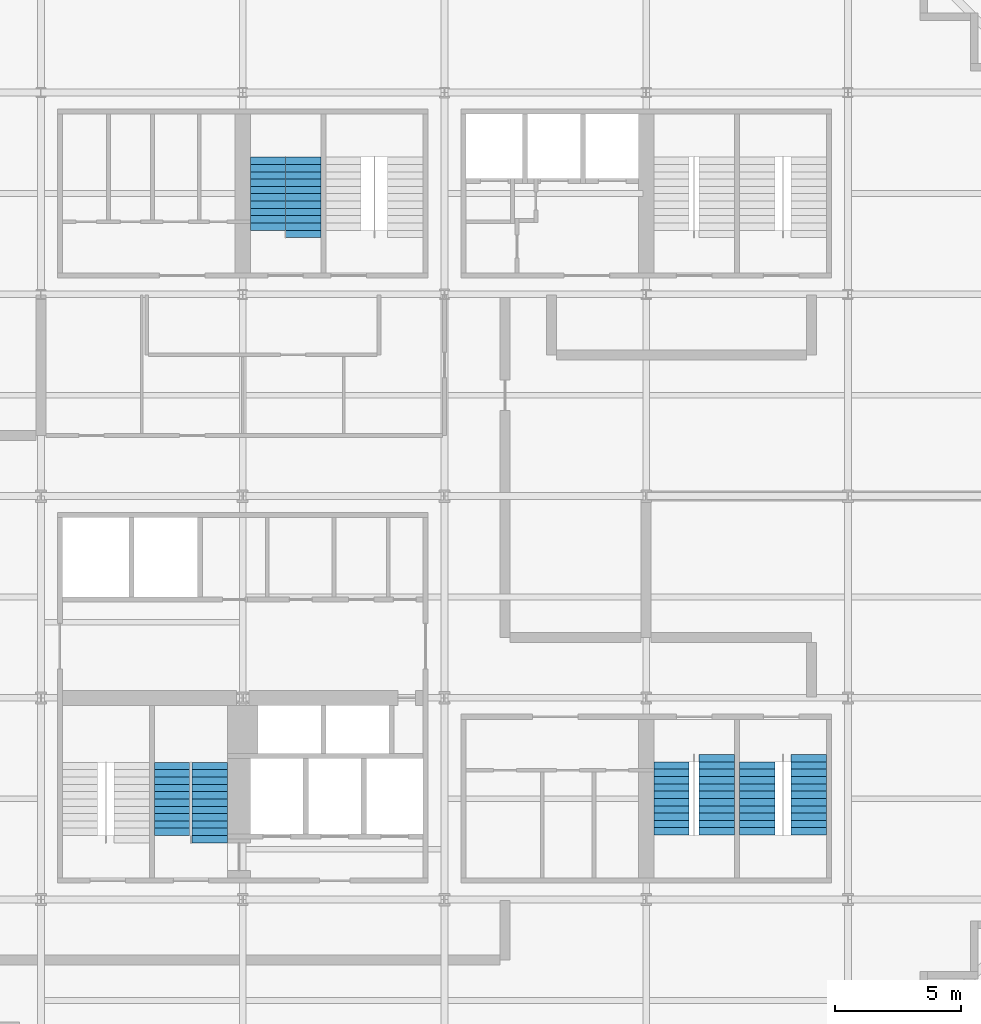
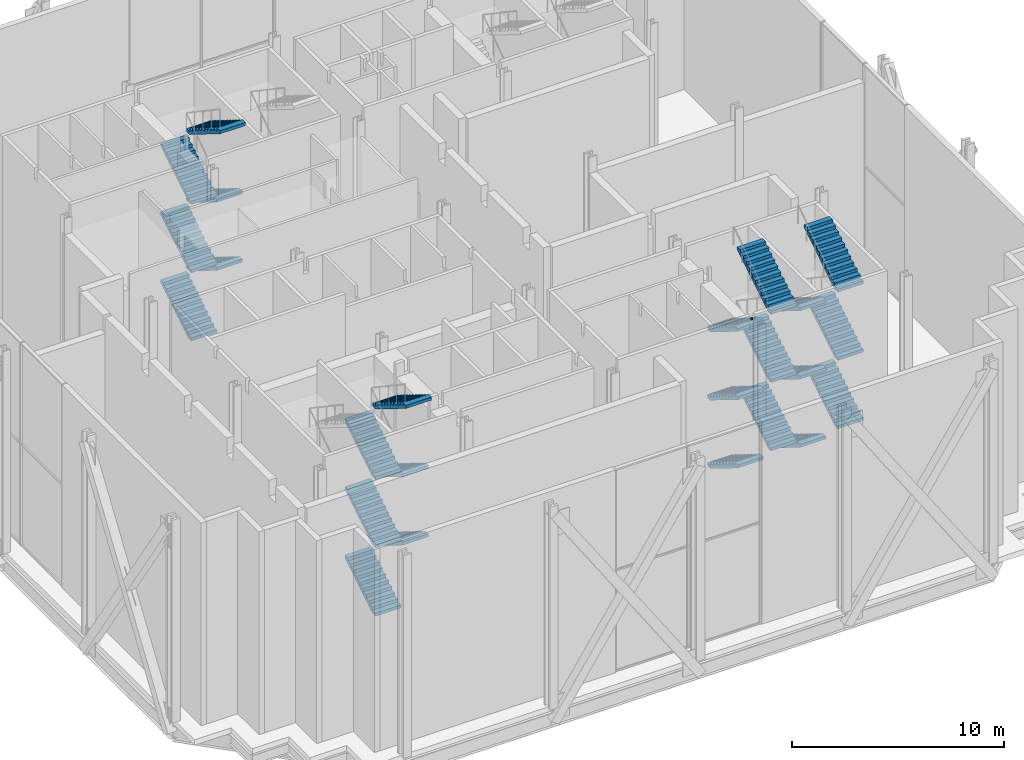
# One storey, part 11 of 14: 24 stair flights, 4 elements without a shape of their own.
"""IFC4 building model written with IfcOpenShell, lengths in metres."""

from ifc_helpers import new_model, si_unit, direction, frame, origin, place, context, subcontext, project, spatial, polyline, outline, extrude, material, type_object, element, aggregate, save


model = new_model("IFC4")

# Units and contexts
model_context = context("Model", 3, precision=1e-05, world=origin(), true_north=direction((0.0, 1.0)))
body_context = subcontext(model_context, "Body", "Model", "MODEL_VIEW")
ifc_project = project(units=[si_unit("LENGTHUNIT", "METRE"), si_unit("AREAUNIT", "SQUARE_METRE"), si_unit("VOLUMEUNIT", "CUBIC_METRE"), si_unit("PLANEANGLEUNIT", "RADIAN"), si_unit("MASSUNIT", "GRAM", prefix="KILO")], contexts=[model_context])

# Site, building, storey
site_placement = place(None, origin())
site = spatial("IfcSite", under=ifc_project, at=site_placement, CompositionType="ELEMENT")
building_placement = place(site_placement, origin())
building = spatial("IfcBuilding", under=site, at=building_placement, Name="Immortelle Media Tower", CompositionType="ELEMENT")
storey_placement = place(building_placement, frame((0.0, 0.0, 9.0)))
storey = spatial("IfcBuildingStorey", under=building, at=storey_placement, Name="L01", CompositionType="ELEMENT", Elevation=9.0)

# Stair, stair flights
ifc_material = material(Name="Steel ASTM A992 Gr 50", Category="steel")
stair_type = type_object("IfcStairType", Name="Stair with flights", PredefinedType="DOUBLE_RETURN_STAIR", material=ifc_material)
stair_1_placement = place(storey_placement, origin())
stair_1 = element("IfcStair", 1, at=stair_1_placement, inside=storey, type_object=stair_type, Name="Exit stair SW2", PredefinedType="DOUBLE_RETURN_STAIR")
stair_flight_type = type_object("IfcStairFlightType", Name="Stair flight 1400", PredefinedType="STRAIGHT", material=ifc_material)
stair_flight_1_placement = place(storey_placement, frame((13.199951171875, 10.5400390625, 0.0), z_axis=(0.0, 0.0, 1.0), x_axis=(0.0, 1.0, 0.0)))
stair_flight_1 = element("IfcStairFlight", 2, at=stair_flight_1_placement, type_object=stair_flight_type, Name="ST SW2 flight 1", NumberOfRisers=11, NumberOfTreads=10, PredefinedType="STRAIGHT", RiserHeight=0.179104478, TreadLength=0.29, context=body_context, shape_type="SweptSolid", body=[
    extrude(outline(polyline([(0.0, 0.0), (0.0, 0.17919921875), (0.2900390625, 0.17919921875), (0.2900390625, 0.358154296875), (0.580078125, 0.358154296875), (0.580078125, 0.537353515625), (0.8701171875, 0.537353515625), (0.8701171875, 0.71630859375), (1.159912109375, 0.71630859375), (1.159912109375, 0.8955078125), (1.449951171875, 0.8955078125), (1.449951171875, 1.07470703125), (1.739990234375, 1.07470703125), (1.739990234375, 1.253662109375), (2.030029296875, 1.253662109375), (2.030029296875, 1.432861328125), (2.320068359375, 1.432861328125), (2.320068359375, 1.612060546875), (2.610107421875, 1.612060546875), (2.610107421875, 1.791015625), (2.89990234375, 1.791015625), (2.89990234375, 1.97021484375), (2.89990234375, 1.61474609375), (0.28515625, 0.0), (0.0, 0.0)])), frame((0.0, 0.699951171875, 0.0), z_axis=(0.0, -1.0, 0.0), x_axis=(1.0, 0.0, 0.0)), (0.0, 0.0, 1.0), 1.39990234375),
])
stair_flight_2_placement = place(storey_placement, frame((14.699951171875, 13.43994140625, 1.97021484375), z_axis=(0.0, 0.0, 1.0), x_axis=(0.0, -1.0, 0.0)))
stair_flight_2 = element("IfcStairFlight", 3, at=stair_flight_2_placement, type_object=stair_flight_type, Name="ST SW2 flight 2", NumberOfRisers=11, NumberOfTreads=10, PredefinedType="STRAIGHT", RiserHeight=0.179104478, TreadLength=0.29, context=body_context, shape_type="SweptSolid", body=[
    extrude(outline(polyline([(0.0, 0.0), (0.0, 0.17919921875), (0.2900390625, 0.17919921875), (0.2900390625, 0.358154296875), (0.580078125, 0.358154296875), (0.580078125, 0.537353515625), (0.8701171875, 0.537353515625), (0.8701171875, 0.71630859375), (1.159912109375, 0.71630859375), (1.159912109375, 0.8955078125), (1.449951171875, 0.8955078125), (1.449951171875, 1.07470703125), (1.739990234375, 1.07470703125), (1.739990234375, 1.253662109375), (2.030029296875, 1.253662109375), (2.030029296875, 1.432861328125), (2.320068359375, 1.432861328125), (2.320068359375, 1.612060546875), (2.610107421875, 1.612060546875), (2.610107421875, 1.791015625), (2.89990234375, 1.791015625), (2.89990234375, 1.97021484375), (2.89990234375, 1.61474609375), (0.28515625, 0.0), (0.0, 0.0)])), frame((0.0, 0.699951171875, 0.0), z_axis=(0.0, -1.0, 0.0), x_axis=(1.0, 0.0, 0.0)), (0.0, 0.0, 1.0), 1.39990234375),
])
stair_flight_3_placement = place(storey_placement, frame((13.199951171875, 10.5400390625, 3.940185546875), z_axis=(0.0, 0.0, 1.0), x_axis=(0.0, 1.0, 0.0)))
stair_flight_3 = element("IfcStairFlight", 4, at=stair_flight_3_placement, type_object=stair_flight_type, Name="ST SW2 flight 3", NumberOfRisers=11, NumberOfTreads=10, PredefinedType="STRAIGHT", RiserHeight=0.179104478, TreadLength=0.29, context=body_context, shape_type="SweptSolid", body=[
    extrude(outline(polyline([(0.0, 0.0), (0.0, 0.17919921875), (0.2900390625, 0.17919921875), (0.2900390625, 0.358154296875), (0.580078125, 0.358154296875), (0.580078125, 0.537353515625), (0.8701171875, 0.537353515625), (0.8701171875, 0.71630859375), (1.159912109375, 0.71630859375), (1.159912109375, 0.8955078125), (1.449951171875, 0.8955078125), (1.449951171875, 1.07470703125), (1.739990234375, 1.07470703125), (1.739990234375, 1.253662109375), (2.030029296875, 1.253662109375), (2.030029296875, 1.432861328125), (2.320068359375, 1.432861328125), (2.320068359375, 1.612060546875), (2.610107421875, 1.612060546875), (2.610107421875, 1.791015625), (2.89990234375, 1.791015625), (2.89990234375, 1.97021484375), (2.89990234375, 1.61474609375), (0.28515625, 0.0), (0.0, 0.0)])), frame((0.0, 0.699951171875, 0.0), z_axis=(0.0, -1.0, 0.0), x_axis=(1.0, 0.0, 0.0)), (0.0, 0.0, 1.0), 1.39990234375),
])
stair_flight_4_placement = place(storey_placement, frame((14.699951171875, 13.43994140625, 5.910400390625), z_axis=(0.0, 0.0, 1.0), x_axis=(0.0, -1.0, 0.0)))
stair_flight_4 = element("IfcStairFlight", 5, at=stair_flight_4_placement, type_object=stair_flight_type, Name="ST SW2 flight 4", NumberOfRisers=11, NumberOfTreads=10, PredefinedType="STRAIGHT", RiserHeight=0.179104478, TreadLength=0.29, context=body_context, shape_type="SweptSolid", body=[
    extrude(outline(polyline([(0.0, 0.0), (0.0, 0.17919921875), (0.2900390625, 0.17919921875), (0.2900390625, 0.358154296875), (0.580078125, 0.358154296875), (0.580078125, 0.537353515625), (0.8701171875, 0.537353515625), (0.8701171875, 0.71630859375), (1.159912109375, 0.71630859375), (1.159912109375, 0.8955078125), (1.449951171875, 0.8955078125), (1.449951171875, 1.07470703125), (1.739990234375, 1.07470703125), (1.739990234375, 1.253662109375), (2.030029296875, 1.253662109375), (2.030029296875, 1.432861328125), (2.320068359375, 1.432861328125), (2.320068359375, 1.612060546875), (2.610107421875, 1.612060546875), (2.610107421875, 1.791015625), (2.89990234375, 1.791015625), (2.89990234375, 1.97021484375), (2.89990234375, 1.61474609375), (0.28515625, 0.0), (0.0, 0.0)])), frame((0.0, 0.699951171875, 0.0), z_axis=(0.0, -1.0, 0.0), x_axis=(1.0, 0.0, 0.0)), (0.0, 0.0, 1.0), 1.39990234375),
])
stair_flight_5_placement = place(storey_placement, frame((13.199951171875, 10.5400390625, 7.880615234375), z_axis=(0.0, 0.0, 1.0), x_axis=(0.0, 1.0, 0.0)))
stair_flight_5 = element("IfcStairFlight", 6, at=stair_flight_5_placement, type_object=stair_flight_type, Name="ST SW2 flight 5", NumberOfRisers=11, NumberOfTreads=10, PredefinedType="STRAIGHT", RiserHeight=0.179104478, TreadLength=0.29, context=body_context, shape_type="SweptSolid", body=[
    extrude(outline(polyline([(0.0, 0.0), (0.0, 0.17919921875), (0.2900390625, 0.17919921875), (0.2900390625, 0.358154296875), (0.580078125, 0.358154296875), (0.580078125, 0.537353515625), (0.8701171875, 0.537353515625), (0.8701171875, 0.71630859375), (1.159912109375, 0.71630859375), (1.159912109375, 0.8955078125), (1.449951171875, 0.8955078125), (1.449951171875, 1.07470703125), (1.739990234375, 1.07470703125), (1.739990234375, 1.253662109375), (2.030029296875, 1.253662109375), (2.030029296875, 1.432861328125), (2.320068359375, 1.432861328125), (2.320068359375, 1.612060546875), (2.610107421875, 1.612060546875), (2.610107421875, 1.791015625), (2.89990234375, 1.791015625), (2.89990234375, 1.97021484375), (2.89990234375, 1.61474609375), (0.28515625, 0.0), (0.0, 0.0)])), frame((0.0, 0.699951171875, 0.0), z_axis=(0.0, -1.0, 0.0), x_axis=(1.0, 0.0, 0.0)), (0.0, 0.0, 1.0), 1.39990234375),
])
stair_flight_6_placement = place(storey_placement, frame((14.699951171875, 13.43994140625, 9.850830078125), z_axis=(0.0, 0.0, 1.0), x_axis=(0.0, -1.0, 0.0)))
stair_flight_6 = element("IfcStairFlight", 7, at=stair_flight_6_placement, type_object=stair_flight_type, Name="ST SW2 flight 6", NumberOfRisers=12, NumberOfTreads=11, PredefinedType="STRAIGHT", RiserHeight=0.179104478, TreadLength=0.29, context=body_context, shape_type="SweptSolid", body=[
    extrude(outline(polyline([(0.0, 0.0), (0.0, 0.17919921875), (0.2900390625, 0.17919921875), (0.2900390625, 0.358154296875), (0.580078125, 0.358154296875), (0.580078125, 0.537353515625), (0.8701171875, 0.537353515625), (0.8701171875, 0.71630859375), (1.159912109375, 0.71630859375), (1.159912109375, 0.8955078125), (1.449951171875, 0.8955078125), (1.449951171875, 1.07470703125), (1.739990234375, 1.07470703125), (1.739990234375, 1.253662109375), (2.030029296875, 1.253662109375), (2.030029296875, 1.432861328125), (2.320068359375, 1.432861328125), (2.320068359375, 1.612060546875), (2.610107421875, 1.612060546875), (2.610107421875, 1.791015625), (2.89990234375, 1.791015625), (2.89990234375, 1.97021484375), (3.18994140625, 1.97021484375), (3.18994140625, 2.149169921875), (3.18994140625, 1.7939453125), (0.28515625, 0.0), (0.0, 0.0)])), frame((0.0, 0.699951171875, 0.0), z_axis=(0.0, -1.0, 0.0), x_axis=(1.0, 0.0, 0.0)), (0.0, 0.0, 1.0), 1.39990234375),
])
aggregate(stair_1, [stair_flight_1, stair_flight_2, stair_flight_3, stair_flight_4, stair_flight_5, stair_flight_6])

stair_2_placement = place(storey_placement, origin())
stair_2 = element("IfcStair", 8, at=stair_2_placement, inside=storey, type_object=stair_type, Name="Exit stair SE1", PredefinedType="DOUBLE_RETURN_STAIR")
stair_flight_7_placement = place(storey_placement, frame((33.0, 13.4599609375, 0.0), z_axis=(0.0, 0.0, 1.0), x_axis=(0.0, -1.0, 0.0)))
stair_flight_7 = element("IfcStairFlight", 9, at=stair_flight_7_placement, type_object=stair_flight_type, Name="ST SE1 flight 1", NumberOfRisers=11, NumberOfTreads=10, PredefinedType="STRAIGHT", RiserHeight=0.179104478, TreadLength=0.29, context=body_context, shape_type="SweptSolid", body=[
    extrude(outline(polyline([(0.0, 0.0), (0.0, 0.17919921875), (0.2900390625, 0.17919921875), (0.2900390625, 0.358154296875), (0.580078125, 0.358154296875), (0.580078125, 0.537353515625), (0.8701171875, 0.537353515625), (0.8701171875, 0.71630859375), (1.159912109375, 0.71630859375), (1.159912109375, 0.8955078125), (1.449951171875, 0.8955078125), (1.449951171875, 1.07470703125), (1.739990234375, 1.07470703125), (1.739990234375, 1.253662109375), (2.030029296875, 1.253662109375), (2.030029296875, 1.432861328125), (2.320068359375, 1.432861328125), (2.320068359375, 1.612060546875), (2.610107421875, 1.612060546875), (2.610107421875, 1.791015625), (2.89990234375, 1.791015625), (2.89990234375, 1.97021484375), (2.89990234375, 1.61474609375), (0.28515625, 0.0), (0.0, 0.0)])), frame((0.0, 0.699951171875, 0.0), z_axis=(0.0, -1.0, 0.0), x_axis=(1.0, 0.0, 0.0)), (0.0, 0.0, 1.0), 1.39990234375),
])
stair_flight_8_placement = place(storey_placement, frame((34.800048828125, 10.56005859375, 1.97021484375), z_axis=(0.0, 0.0, 1.0), x_axis=(0.0, 1.0, 0.0)))
stair_flight_8 = element("IfcStairFlight", 10, at=stair_flight_8_placement, type_object=stair_flight_type, Name="ST SE1 flight 2", NumberOfRisers=11, NumberOfTreads=10, PredefinedType="STRAIGHT", RiserHeight=0.179104478, TreadLength=0.29, context=body_context, shape_type="SweptSolid", body=[
    extrude(outline(polyline([(0.0, 0.0), (0.0, 0.17919921875), (0.2900390625, 0.17919921875), (0.2900390625, 0.358154296875), (0.580078125, 0.358154296875), (0.580078125, 0.537353515625), (0.8701171875, 0.537353515625), (0.8701171875, 0.71630859375), (1.159912109375, 0.71630859375), (1.159912109375, 0.8955078125), (1.449951171875, 0.8955078125), (1.449951171875, 1.07470703125), (1.739990234375, 1.07470703125), (1.739990234375, 1.253662109375), (2.030029296875, 1.253662109375), (2.030029296875, 1.432861328125), (2.320068359375, 1.432861328125), (2.320068359375, 1.612060546875), (2.610107421875, 1.612060546875), (2.610107421875, 1.791015625), (2.89990234375, 1.791015625), (2.89990234375, 1.97021484375), (2.89990234375, 1.61474609375), (0.28515625, 0.0), (0.0, 0.0)])), frame((0.0, 0.699951171875, 0.0), z_axis=(0.0, -1.0, 0.0), x_axis=(1.0, 0.0, 0.0)), (0.0, 0.0, 1.0), 1.39990234375),
])
stair_flight_9_placement = place(storey_placement, frame((33.0, 13.4599609375, 3.940185546875), z_axis=(0.0, 0.0, 1.0), x_axis=(0.0, -1.0, 0.0)))
stair_flight_9 = element("IfcStairFlight", 11, at=stair_flight_9_placement, type_object=stair_flight_type, Name="ST SE1 flight 3", NumberOfRisers=11, NumberOfTreads=10, PredefinedType="STRAIGHT", RiserHeight=0.179104478, TreadLength=0.29, context=body_context, shape_type="SweptSolid", body=[
    extrude(outline(polyline([(0.0, 0.0), (0.0, 0.17919921875), (0.2900390625, 0.17919921875), (0.2900390625, 0.358154296875), (0.580078125, 0.358154296875), (0.580078125, 0.537353515625), (0.8701171875, 0.537353515625), (0.8701171875, 0.71630859375), (1.159912109375, 0.71630859375), (1.159912109375, 0.8955078125), (1.449951171875, 0.8955078125), (1.449951171875, 1.07470703125), (1.739990234375, 1.07470703125), (1.739990234375, 1.253662109375), (2.030029296875, 1.253662109375), (2.030029296875, 1.432861328125), (2.320068359375, 1.432861328125), (2.320068359375, 1.612060546875), (2.610107421875, 1.612060546875), (2.610107421875, 1.791015625), (2.89990234375, 1.791015625), (2.89990234375, 1.97021484375), (2.89990234375, 1.61474609375), (0.28515625, 0.0), (0.0, 0.0)])), frame((0.0, 0.699951171875, 0.0), z_axis=(0.0, -1.0, 0.0), x_axis=(1.0, 0.0, 0.0)), (0.0, 0.0, 1.0), 1.39990234375),
])
stair_flight_10_placement = place(storey_placement, frame((34.800048828125, 10.56005859375, 5.910400390625), z_axis=(0.0, 0.0, 1.0), x_axis=(0.0, 1.0, 0.0)))
stair_flight_10 = element("IfcStairFlight", 12, at=stair_flight_10_placement, type_object=stair_flight_type, Name="ST SE1 flight 4", NumberOfRisers=11, NumberOfTreads=10, PredefinedType="STRAIGHT", RiserHeight=0.179104478, TreadLength=0.29, context=body_context, shape_type="SweptSolid", body=[
    extrude(outline(polyline([(0.0, 0.0), (0.0, 0.17919921875), (0.2900390625, 0.17919921875), (0.2900390625, 0.358154296875), (0.580078125, 0.358154296875), (0.580078125, 0.537353515625), (0.8701171875, 0.537353515625), (0.8701171875, 0.71630859375), (1.159912109375, 0.71630859375), (1.159912109375, 0.8955078125), (1.449951171875, 0.8955078125), (1.449951171875, 1.07470703125), (1.739990234375, 1.07470703125), (1.739990234375, 1.253662109375), (2.030029296875, 1.253662109375), (2.030029296875, 1.432861328125), (2.320068359375, 1.432861328125), (2.320068359375, 1.612060546875), (2.610107421875, 1.612060546875), (2.610107421875, 1.791015625), (2.89990234375, 1.791015625), (2.89990234375, 1.97021484375), (2.89990234375, 1.61474609375), (0.28515625, 0.0), (0.0, 0.0)])), frame((0.0, 0.699951171875, 0.0), z_axis=(0.0, -1.0, 0.0), x_axis=(1.0, 0.0, 0.0)), (0.0, 0.0, 1.0), 1.39990234375),
])
stair_flight_11_placement = place(storey_placement, frame((33.0, 13.4599609375, 7.880615234375), z_axis=(0.0, 0.0, 1.0), x_axis=(0.0, -1.0, 0.0)))
stair_flight_11 = element("IfcStairFlight", 13, at=stair_flight_11_placement, type_object=stair_flight_type, Name="ST SE1 flight 5", NumberOfRisers=11, NumberOfTreads=10, PredefinedType="STRAIGHT", RiserHeight=0.179104478, TreadLength=0.29, context=body_context, shape_type="SweptSolid", body=[
    extrude(outline(polyline([(0.0, 0.0), (0.0, 0.17919921875), (0.2900390625, 0.17919921875), (0.2900390625, 0.358154296875), (0.580078125, 0.358154296875), (0.580078125, 0.537353515625), (0.8701171875, 0.537353515625), (0.8701171875, 0.71630859375), (1.159912109375, 0.71630859375), (1.159912109375, 0.8955078125), (1.449951171875, 0.8955078125), (1.449951171875, 1.07470703125), (1.739990234375, 1.07470703125), (1.739990234375, 1.253662109375), (2.030029296875, 1.253662109375), (2.030029296875, 1.432861328125), (2.320068359375, 1.432861328125), (2.320068359375, 1.612060546875), (2.610107421875, 1.612060546875), (2.610107421875, 1.791015625), (2.89990234375, 1.791015625), (2.89990234375, 1.97021484375), (2.89990234375, 1.61474609375), (0.28515625, 0.0), (0.0, 0.0)])), frame((0.0, 0.699951171875, 0.0), z_axis=(0.0, -1.0, 0.0), x_axis=(1.0, 0.0, 0.0)), (0.0, 0.0, 1.0), 1.39990234375),
])
stair_flight_12_placement = place(storey_placement, frame((34.800048828125, 10.56005859375, 9.850830078125), z_axis=(0.0, 0.0, 1.0), x_axis=(0.0, 1.0, 0.0)))
stair_flight_12 = element("IfcStairFlight", 14, at=stair_flight_12_placement, type_object=stair_flight_type, Name="ST SE1 flight 6", NumberOfRisers=12, NumberOfTreads=11, PredefinedType="STRAIGHT", RiserHeight=0.179104478, TreadLength=0.29, context=body_context, shape_type="SweptSolid", body=[
    extrude(outline(polyline([(0.0, 0.0), (0.0, 0.17919921875), (0.2900390625, 0.17919921875), (0.2900390625, 0.358154296875), (0.580078125, 0.358154296875), (0.580078125, 0.537353515625), (0.8701171875, 0.537353515625), (0.8701171875, 0.71630859375), (1.159912109375, 0.71630859375), (1.159912109375, 0.8955078125), (1.449951171875, 0.8955078125), (1.449951171875, 1.07470703125), (1.739990234375, 1.07470703125), (1.739990234375, 1.253662109375), (2.030029296875, 1.253662109375), (2.030029296875, 1.432861328125), (2.320068359375, 1.432861328125), (2.320068359375, 1.612060546875), (2.610107421875, 1.612060546875), (2.610107421875, 1.791015625), (2.89990234375, 1.791015625), (2.89990234375, 1.97021484375), (3.18994140625, 1.97021484375), (3.18994140625, 2.149169921875), (3.18994140625, 1.7939453125), (0.28515625, 0.0), (0.0, 0.0)])), frame((0.0, 0.699951171875, 0.0), z_axis=(0.0, -1.0, 0.0), x_axis=(1.0, 0.0, 0.0)), (0.0, 0.0, 1.0), 1.39990234375),
])
aggregate(stair_2, [stair_flight_7, stair_flight_8, stair_flight_9, stair_flight_10, stair_flight_11, stair_flight_12])

stair_3_placement = place(storey_placement, origin())
stair_3 = element("IfcStair", 15, at=stair_3_placement, inside=storey, type_object=stair_type, Name="Exit stair SE2", PredefinedType="DOUBLE_RETURN_STAIR")
stair_flight_13_placement = place(storey_placement, frame((36.39990234375, 13.4599609375, 0.0), z_axis=(0.0, 0.0, 1.0), x_axis=(0.0, -1.0, 0.0)))
stair_flight_13 = element("IfcStairFlight", 16, at=stair_flight_13_placement, type_object=stair_flight_type, Name="ST SE2 flight 1", NumberOfRisers=11, NumberOfTreads=10, PredefinedType="STRAIGHT", RiserHeight=0.179104478, TreadLength=0.29, context=body_context, shape_type="SweptSolid", body=[
    extrude(outline(polyline([(0.0, 0.0), (0.0, 0.17919921875), (0.2900390625, 0.17919921875), (0.2900390625, 0.358154296875), (0.580078125, 0.358154296875), (0.580078125, 0.537353515625), (0.8701171875, 0.537353515625), (0.8701171875, 0.71630859375), (1.159912109375, 0.71630859375), (1.159912109375, 0.8955078125), (1.449951171875, 0.8955078125), (1.449951171875, 1.07470703125), (1.739990234375, 1.07470703125), (1.739990234375, 1.253662109375), (2.030029296875, 1.253662109375), (2.030029296875, 1.432861328125), (2.320068359375, 1.432861328125), (2.320068359375, 1.612060546875), (2.610107421875, 1.612060546875), (2.610107421875, 1.791015625), (2.89990234375, 1.791015625), (2.89990234375, 1.97021484375), (2.89990234375, 1.61474609375), (0.28515625, 0.0), (0.0, 0.0)])), frame((0.0, 0.699951171875, 0.0), z_axis=(0.0, -1.0, 0.0), x_axis=(1.0, 0.0, 0.0)), (0.0, 0.0, 1.0), 1.39990234375),
])
stair_flight_14_placement = place(storey_placement, frame((38.449951171875, 10.56005859375, 1.97021484375), z_axis=(0.0, 0.0, 1.0), x_axis=(0.0, 1.0, 0.0)))
stair_flight_14 = element("IfcStairFlight", 17, at=stair_flight_14_placement, type_object=stair_flight_type, Name="ST SE2 flight 2", NumberOfRisers=11, NumberOfTreads=10, PredefinedType="STRAIGHT", RiserHeight=0.179104478, TreadLength=0.29, context=body_context, shape_type="SweptSolid", body=[
    extrude(outline(polyline([(0.0, 0.0), (0.0, 0.17919921875), (0.2900390625, 0.17919921875), (0.2900390625, 0.358154296875), (0.580078125, 0.358154296875), (0.580078125, 0.537353515625), (0.8701171875, 0.537353515625), (0.8701171875, 0.71630859375), (1.159912109375, 0.71630859375), (1.159912109375, 0.8955078125), (1.449951171875, 0.8955078125), (1.449951171875, 1.07470703125), (1.739990234375, 1.07470703125), (1.739990234375, 1.253662109375), (2.030029296875, 1.253662109375), (2.030029296875, 1.432861328125), (2.320068359375, 1.432861328125), (2.320068359375, 1.612060546875), (2.610107421875, 1.612060546875), (2.610107421875, 1.791015625), (2.89990234375, 1.791015625), (2.89990234375, 1.97021484375), (2.89990234375, 1.61474609375), (0.28515625, 0.0), (0.0, 0.0)])), frame((0.0, 0.699951171875, 0.0), z_axis=(0.0, -1.0, 0.0), x_axis=(1.0, 0.0, 0.0)), (0.0, 0.0, 1.0), 1.39990234375),
])
stair_flight_15_placement = place(storey_placement, frame((36.39990234375, 13.4599609375, 3.940185546875), z_axis=(0.0, 0.0, 1.0), x_axis=(0.0, -1.0, 0.0)))
stair_flight_15 = element("IfcStairFlight", 18, at=stair_flight_15_placement, type_object=stair_flight_type, Name="ST SE2 flight 3", NumberOfRisers=11, NumberOfTreads=10, PredefinedType="STRAIGHT", RiserHeight=0.179104478, TreadLength=0.29, context=body_context, shape_type="SweptSolid", body=[
    extrude(outline(polyline([(0.0, 0.0), (0.0, 0.17919921875), (0.2900390625, 0.17919921875), (0.2900390625, 0.358154296875), (0.580078125, 0.358154296875), (0.580078125, 0.537353515625), (0.8701171875, 0.537353515625), (0.8701171875, 0.71630859375), (1.159912109375, 0.71630859375), (1.159912109375, 0.8955078125), (1.449951171875, 0.8955078125), (1.449951171875, 1.07470703125), (1.739990234375, 1.07470703125), (1.739990234375, 1.253662109375), (2.030029296875, 1.253662109375), (2.030029296875, 1.432861328125), (2.320068359375, 1.432861328125), (2.320068359375, 1.612060546875), (2.610107421875, 1.612060546875), (2.610107421875, 1.791015625), (2.89990234375, 1.791015625), (2.89990234375, 1.97021484375), (2.89990234375, 1.61474609375), (0.28515625, 0.0), (0.0, 0.0)])), frame((0.0, 0.699951171875, 0.0), z_axis=(0.0, -1.0, 0.0), x_axis=(1.0, 0.0, 0.0)), (0.0, 0.0, 1.0), 1.39990234375),
])
stair_flight_16_placement = place(storey_placement, frame((38.449951171875, 10.56005859375, 5.910400390625), z_axis=(0.0, 0.0, 1.0), x_axis=(0.0, 1.0, 0.0)))
stair_flight_16 = element("IfcStairFlight", 19, at=stair_flight_16_placement, type_object=stair_flight_type, Name="ST SE2 flight 4", NumberOfRisers=11, NumberOfTreads=10, PredefinedType="STRAIGHT", RiserHeight=0.179104478, TreadLength=0.29, context=body_context, shape_type="SweptSolid", body=[
    extrude(outline(polyline([(0.0, 0.0), (0.0, 0.17919921875), (0.2900390625, 0.17919921875), (0.2900390625, 0.358154296875), (0.580078125, 0.358154296875), (0.580078125, 0.537353515625), (0.8701171875, 0.537353515625), (0.8701171875, 0.71630859375), (1.159912109375, 0.71630859375), (1.159912109375, 0.8955078125), (1.449951171875, 0.8955078125), (1.449951171875, 1.07470703125), (1.739990234375, 1.07470703125), (1.739990234375, 1.253662109375), (2.030029296875, 1.253662109375), (2.030029296875, 1.432861328125), (2.320068359375, 1.432861328125), (2.320068359375, 1.612060546875), (2.610107421875, 1.612060546875), (2.610107421875, 1.791015625), (2.89990234375, 1.791015625), (2.89990234375, 1.97021484375), (2.89990234375, 1.61474609375), (0.28515625, 0.0), (0.0, 0.0)])), frame((0.0, 0.699951171875, 0.0), z_axis=(0.0, -1.0, 0.0), x_axis=(1.0, 0.0, 0.0)), (0.0, 0.0, 1.0), 1.39990234375),
])
stair_flight_17_placement = place(storey_placement, frame((36.39990234375, 13.4599609375, 7.880615234375), z_axis=(0.0, 0.0, 1.0), x_axis=(0.0, -1.0, 0.0)))
stair_flight_17 = element("IfcStairFlight", 20, at=stair_flight_17_placement, type_object=stair_flight_type, Name="ST SE2 flight 5", NumberOfRisers=11, NumberOfTreads=10, PredefinedType="STRAIGHT", RiserHeight=0.179104478, TreadLength=0.29, context=body_context, shape_type="SweptSolid", body=[
    extrude(outline(polyline([(0.0, 0.0), (0.0, 0.17919921875), (0.2900390625, 0.17919921875), (0.2900390625, 0.358154296875), (0.580078125, 0.358154296875), (0.580078125, 0.537353515625), (0.8701171875, 0.537353515625), (0.8701171875, 0.71630859375), (1.159912109375, 0.71630859375), (1.159912109375, 0.8955078125), (1.449951171875, 0.8955078125), (1.449951171875, 1.07470703125), (1.739990234375, 1.07470703125), (1.739990234375, 1.253662109375), (2.030029296875, 1.253662109375), (2.030029296875, 1.432861328125), (2.320068359375, 1.432861328125), (2.320068359375, 1.612060546875), (2.610107421875, 1.612060546875), (2.610107421875, 1.791015625), (2.89990234375, 1.791015625), (2.89990234375, 1.97021484375), (2.89990234375, 1.61474609375), (0.28515625, 0.0), (0.0, 0.0)])), frame((0.0, 0.699951171875, 0.0), z_axis=(0.0, -1.0, 0.0), x_axis=(1.0, 0.0, 0.0)), (0.0, 0.0, 1.0), 1.39990234375),
])
stair_flight_18_placement = place(storey_placement, frame((38.449951171875, 10.56005859375, 9.850830078125), z_axis=(0.0, 0.0, 1.0), x_axis=(0.0, 1.0, 0.0)))
stair_flight_18 = element("IfcStairFlight", 21, at=stair_flight_18_placement, type_object=stair_flight_type, Name="ST SE2 flight 6", NumberOfRisers=12, NumberOfTreads=11, PredefinedType="STRAIGHT", RiserHeight=0.179104478, TreadLength=0.29, context=body_context, shape_type="SweptSolid", body=[
    extrude(outline(polyline([(0.0, 0.0), (0.0, 0.17919921875), (0.2900390625, 0.17919921875), (0.2900390625, 0.358154296875), (0.580078125, 0.358154296875), (0.580078125, 0.537353515625), (0.8701171875, 0.537353515625), (0.8701171875, 0.71630859375), (1.159912109375, 0.71630859375), (1.159912109375, 0.8955078125), (1.449951171875, 0.8955078125), (1.449951171875, 1.07470703125), (1.739990234375, 1.07470703125), (1.739990234375, 1.253662109375), (2.030029296875, 1.253662109375), (2.030029296875, 1.432861328125), (2.320068359375, 1.432861328125), (2.320068359375, 1.612060546875), (2.610107421875, 1.612060546875), (2.610107421875, 1.791015625), (2.89990234375, 1.791015625), (2.89990234375, 1.97021484375), (3.18994140625, 1.97021484375), (3.18994140625, 2.149169921875), (3.18994140625, 1.7939453125), (0.28515625, 0.0), (0.0, 0.0)])), frame((0.0, 0.699951171875, 0.0), z_axis=(0.0, -1.0, 0.0), x_axis=(1.0, 0.0, 0.0)), (0.0, 0.0, 1.0), 1.39990234375),
])
aggregate(stair_3, [stair_flight_13, stair_flight_14, stair_flight_15, stair_flight_16, stair_flight_17, stair_flight_18])

stair_4_placement = place(storey_placement, origin())
stair_4 = element("IfcStair", 22, at=stair_4_placement, inside=storey, type_object=stair_type, Name="Exit stair NW1", PredefinedType="DOUBLE_RETURN_STAIR")
stair_flight_19_placement = place(storey_placement, frame((17.0, 34.5400390625, 0.0), z_axis=(0.0, 0.0, 1.0), x_axis=(0.0, 1.0, 0.0)))
stair_flight_19 = element("IfcStairFlight", 23, at=stair_flight_19_placement, type_object=stair_flight_type, Name="ST NW1 flight 1", NumberOfRisers=11, NumberOfTreads=10, PredefinedType="STRAIGHT", RiserHeight=0.179104478, TreadLength=0.29, context=body_context, shape_type="SweptSolid", body=[
    extrude(outline(polyline([(0.0, 0.0), (0.0, 0.17919921875), (0.2900390625, 0.17919921875), (0.2900390625, 0.358154296875), (0.580078125, 0.358154296875), (0.580078125, 0.537353515625), (0.8701171875, 0.537353515625), (0.8701171875, 0.71630859375), (1.159912109375, 0.71630859375), (1.159912109375, 0.8955078125), (1.449951171875, 0.8955078125), (1.449951171875, 1.07470703125), (1.739990234375, 1.07470703125), (1.739990234375, 1.253662109375), (2.030029296875, 1.253662109375), (2.030029296875, 1.432861328125), (2.320068359375, 1.432861328125), (2.320068359375, 1.612060546875), (2.610107421875, 1.612060546875), (2.610107421875, 1.791015625), (2.89990234375, 1.791015625), (2.89990234375, 1.97021484375), (2.89990234375, 1.61474609375), (0.28515625, 0.0), (0.0, 0.0)])), frame((0.0, 0.699951171875, 0.0), z_axis=(0.0, -1.0, 0.0), x_axis=(1.0, 0.0, 0.0)), (0.0, 0.0, 1.0), 1.39990234375),
])
stair_flight_20_placement = place(storey_placement, frame((18.39990234375, 37.43994140625, 1.97021484375), z_axis=(0.0, 0.0, 1.0), x_axis=(0.0, -1.0, 0.0)))
stair_flight_20 = element("IfcStairFlight", 24, at=stair_flight_20_placement, type_object=stair_flight_type, Name="ST NW1 flight 2", NumberOfRisers=11, NumberOfTreads=10, PredefinedType="STRAIGHT", RiserHeight=0.179104478, TreadLength=0.29, context=body_context, shape_type="SweptSolid", body=[
    extrude(outline(polyline([(0.0, 0.0), (0.0, 0.17919921875), (0.2900390625, 0.17919921875), (0.2900390625, 0.358154296875), (0.580078125, 0.358154296875), (0.580078125, 0.537353515625), (0.8701171875, 0.537353515625), (0.8701171875, 0.71630859375), (1.159912109375, 0.71630859375), (1.159912109375, 0.8955078125), (1.449951171875, 0.8955078125), (1.449951171875, 1.07470703125), (1.739990234375, 1.07470703125), (1.739990234375, 1.253662109375), (2.030029296875, 1.253662109375), (2.030029296875, 1.432861328125), (2.320068359375, 1.432861328125), (2.320068359375, 1.612060546875), (2.610107421875, 1.612060546875), (2.610107421875, 1.791015625), (2.89990234375, 1.791015625), (2.89990234375, 1.97021484375), (2.89990234375, 1.61474609375), (0.28515625, 0.0), (0.0, 0.0)])), frame((0.0, 0.699951171875, 0.0), z_axis=(0.0, -1.0, 0.0), x_axis=(1.0, 0.0, 0.0)), (0.0, 0.0, 1.0), 1.39990234375),
])
stair_flight_21_placement = place(storey_placement, frame((17.0, 34.5400390625, 3.940185546875), z_axis=(0.0, 0.0, 1.0), x_axis=(0.0, 1.0, 0.0)))
stair_flight_21 = element("IfcStairFlight", 25, at=stair_flight_21_placement, type_object=stair_flight_type, Name="ST NW1 flight 3", NumberOfRisers=11, NumberOfTreads=10, PredefinedType="STRAIGHT", RiserHeight=0.179104478, TreadLength=0.29, context=body_context, shape_type="SweptSolid", body=[
    extrude(outline(polyline([(0.0, 0.0), (0.0, 0.17919921875), (0.2900390625, 0.17919921875), (0.2900390625, 0.358154296875), (0.580078125, 0.358154296875), (0.580078125, 0.537353515625), (0.8701171875, 0.537353515625), (0.8701171875, 0.71630859375), (1.159912109375, 0.71630859375), (1.159912109375, 0.8955078125), (1.449951171875, 0.8955078125), (1.449951171875, 1.07470703125), (1.739990234375, 1.07470703125), (1.739990234375, 1.253662109375), (2.030029296875, 1.253662109375), (2.030029296875, 1.432861328125), (2.320068359375, 1.432861328125), (2.320068359375, 1.612060546875), (2.610107421875, 1.612060546875), (2.610107421875, 1.791015625), (2.89990234375, 1.791015625), (2.89990234375, 1.97021484375), (2.89990234375, 1.61474609375), (0.28515625, 0.0), (0.0, 0.0)])), frame((0.0, 0.699951171875, 0.0), z_axis=(0.0, -1.0, 0.0), x_axis=(1.0, 0.0, 0.0)), (0.0, 0.0, 1.0), 1.39990234375),
])
stair_flight_22_placement = place(storey_placement, frame((18.39990234375, 37.43994140625, 5.910400390625), z_axis=(0.0, 0.0, 1.0), x_axis=(0.0, -1.0, 0.0)))
stair_flight_22 = element("IfcStairFlight", 26, at=stair_flight_22_placement, type_object=stair_flight_type, Name="ST NW1 flight 4", NumberOfRisers=11, NumberOfTreads=10, PredefinedType="STRAIGHT", RiserHeight=0.179104478, TreadLength=0.29, context=body_context, shape_type="SweptSolid", body=[
    extrude(outline(polyline([(0.0, 0.0), (0.0, 0.17919921875), (0.2900390625, 0.17919921875), (0.2900390625, 0.358154296875), (0.580078125, 0.358154296875), (0.580078125, 0.537353515625), (0.8701171875, 0.537353515625), (0.8701171875, 0.71630859375), (1.159912109375, 0.71630859375), (1.159912109375, 0.8955078125), (1.449951171875, 0.8955078125), (1.449951171875, 1.07470703125), (1.739990234375, 1.07470703125), (1.739990234375, 1.253662109375), (2.030029296875, 1.253662109375), (2.030029296875, 1.432861328125), (2.320068359375, 1.432861328125), (2.320068359375, 1.612060546875), (2.610107421875, 1.612060546875), (2.610107421875, 1.791015625), (2.89990234375, 1.791015625), (2.89990234375, 1.97021484375), (2.89990234375, 1.61474609375), (0.28515625, 0.0), (0.0, 0.0)])), frame((0.0, 0.699951171875, 0.0), z_axis=(0.0, -1.0, 0.0), x_axis=(1.0, 0.0, 0.0)), (0.0, 0.0, 1.0), 1.39990234375),
])
stair_flight_23_placement = place(storey_placement, frame((17.0, 34.5400390625, 7.880615234375), z_axis=(0.0, 0.0, 1.0), x_axis=(0.0, 1.0, 0.0)))
stair_flight_23 = element("IfcStairFlight", 27, at=stair_flight_23_placement, type_object=stair_flight_type, Name="ST NW1 flight 5", NumberOfRisers=11, NumberOfTreads=10, PredefinedType="STRAIGHT", RiserHeight=0.179104478, TreadLength=0.29, context=body_context, shape_type="SweptSolid", body=[
    extrude(outline(polyline([(0.0, 0.0), (0.0, 0.17919921875), (0.2900390625, 0.17919921875), (0.2900390625, 0.358154296875), (0.580078125, 0.358154296875), (0.580078125, 0.537353515625), (0.8701171875, 0.537353515625), (0.8701171875, 0.71630859375), (1.159912109375, 0.71630859375), (1.159912109375, 0.8955078125), (1.449951171875, 0.8955078125), (1.449951171875, 1.07470703125), (1.739990234375, 1.07470703125), (1.739990234375, 1.253662109375), (2.030029296875, 1.253662109375), (2.030029296875, 1.432861328125), (2.320068359375, 1.432861328125), (2.320068359375, 1.612060546875), (2.610107421875, 1.612060546875), (2.610107421875, 1.791015625), (2.89990234375, 1.791015625), (2.89990234375, 1.97021484375), (2.89990234375, 1.61474609375), (0.28515625, 0.0), (0.0, 0.0)])), frame((0.0, 0.699951171875, 0.0), z_axis=(0.0, -1.0, 0.0), x_axis=(1.0, 0.0, 0.0)), (0.0, 0.0, 1.0), 1.39990234375),
])
stair_flight_24_placement = place(storey_placement, frame((18.39990234375, 37.43994140625, 9.850830078125), z_axis=(0.0, 0.0, 1.0), x_axis=(0.0, -1.0, 0.0)))
stair_flight_24 = element("IfcStairFlight", 28, at=stair_flight_24_placement, type_object=stair_flight_type, Name="ST NW1 flight 6", NumberOfRisers=12, NumberOfTreads=11, PredefinedType="STRAIGHT", RiserHeight=0.179104478, TreadLength=0.29, context=body_context, shape_type="SweptSolid", body=[
    extrude(outline(polyline([(0.0, 0.0), (0.0, 0.17919921875), (0.2900390625, 0.17919921875), (0.2900390625, 0.358154296875), (0.580078125, 0.358154296875), (0.580078125, 0.537353515625), (0.8701171875, 0.537353515625), (0.8701171875, 0.71630859375), (1.159912109375, 0.71630859375), (1.159912109375, 0.8955078125), (1.449951171875, 0.8955078125), (1.449951171875, 1.07470703125), (1.739990234375, 1.07470703125), (1.739990234375, 1.253662109375), (2.030029296875, 1.253662109375), (2.030029296875, 1.432861328125), (2.320068359375, 1.432861328125), (2.320068359375, 1.612060546875), (2.610107421875, 1.612060546875), (2.610107421875, 1.791015625), (2.89990234375, 1.791015625), (2.89990234375, 1.97021484375), (3.18994140625, 1.97021484375), (3.18994140625, 2.149169921875), (3.18994140625, 1.7939453125), (0.28515625, 0.0), (0.0, 0.0)])), frame((0.0, 0.699951171875, 0.0), z_axis=(0.0, -1.0, 0.0), x_axis=(1.0, 0.0, 0.0)), (0.0, 0.0, 1.0), 1.39990234375),
])
aggregate(stair_4, [stair_flight_19, stair_flight_20, stair_flight_21, stair_flight_22, stair_flight_23, stair_flight_24])

save(model, "model.ifc")
